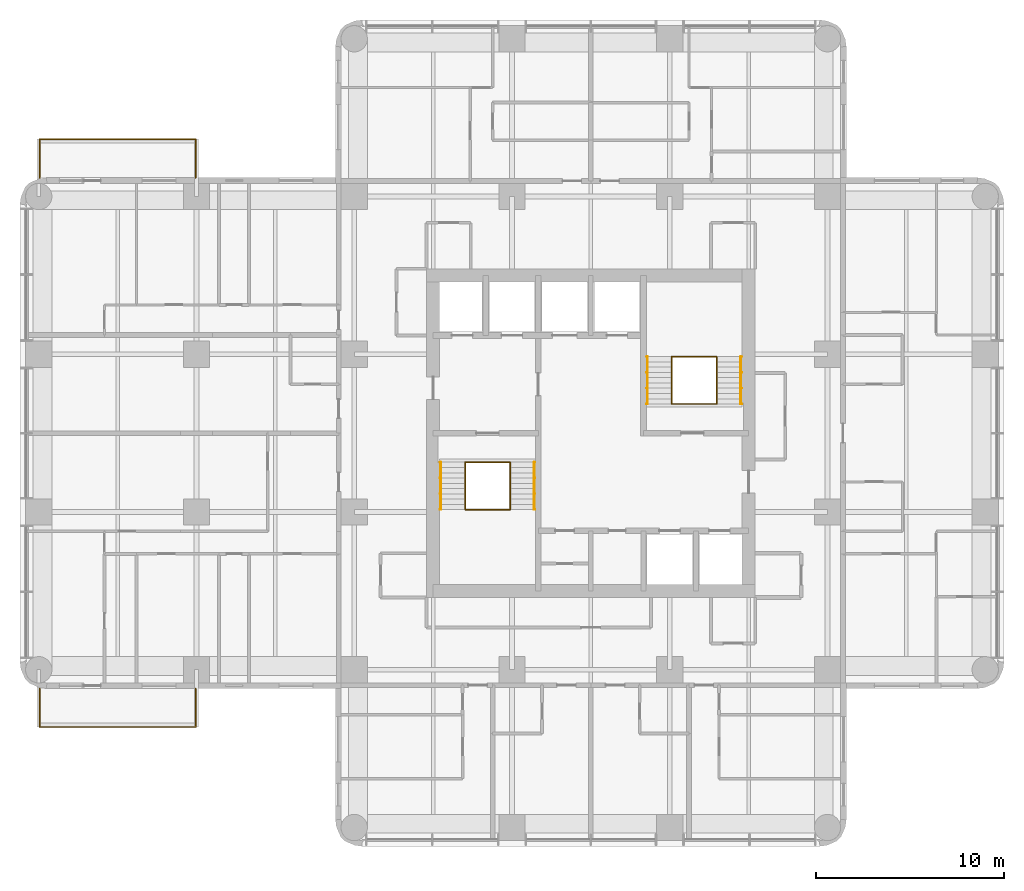
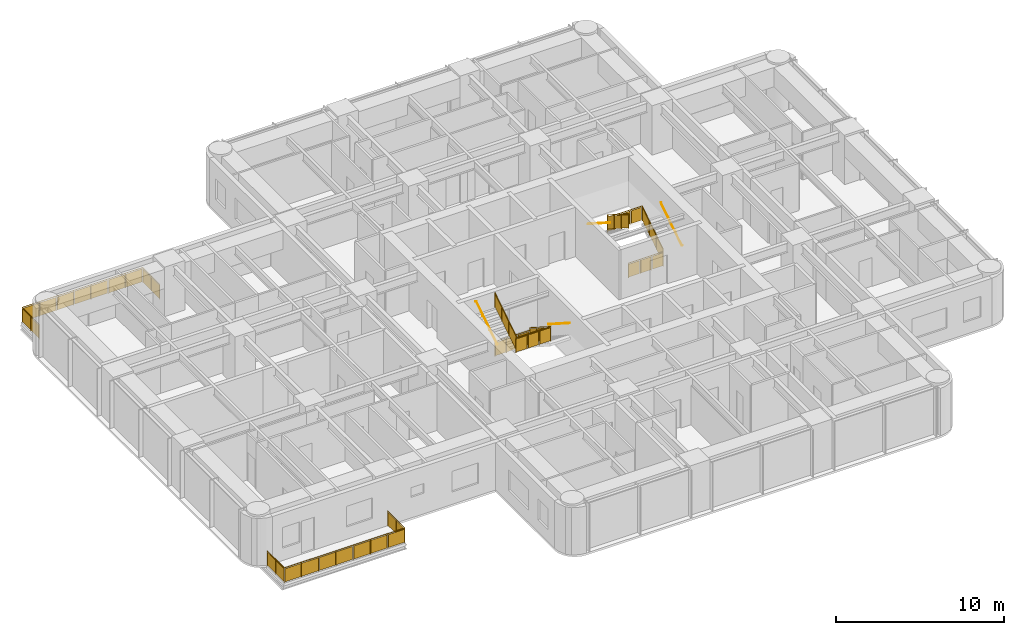
# One storey, part 11 of 11: 14 railings.
"""IFC4 building model written with IfcOpenShell, lengths in metres."""

from ifc_helpers import new_model, si_unit, direction, frame, origin, origin_2d, place, context, subcontext, project, spatial, polyline, circle, outline, extrude, material, constituent, constituent_set, type_object, element, save


model = new_model("IFC4")

# Units and contexts
model_context = context("Model", 3, precision=1e-05, world=origin(), true_north=direction((0.0, 1.0)))
body_context = subcontext(model_context, "Body", "Model", "MODEL_VIEW")
ifc_project = project(units=[si_unit("LENGTHUNIT", "METRE"), si_unit("AREAUNIT", "SQUARE_METRE"), si_unit("VOLUMEUNIT", "CUBIC_METRE"), si_unit("PLANEANGLEUNIT", "RADIAN"), si_unit("MASSUNIT", "GRAM", prefix="KILO")], contexts=[model_context])

# Site, building, storey
site_placement = place(None, origin())
site = spatial("IfcSite", under=ifc_project, at=site_placement, CompositionType="ELEMENT")
building_placement = place(site_placement, origin())
building = spatial("IfcBuilding", under=site, at=building_placement, Name="Torre Alcanfor", CompositionType="ELEMENT")
storey_placement = place(building_placement, frame((0.0, 0.0, 233.699951171875)))
storey = spatial("IfcBuildingStorey", under=building, at=storey_placement, Name="L61", CompositionType="ELEMENT", Elevation=233.699951171875)

# Railings
ifc_material_1 = material(Name="Laminated safety glass", Category="glass")
ifc_constituent_1 = constituent(ifc_material_1, Name="Infill")
ifc_material_2 = material(Name="Stainless steel ASTM A554 Grade MT 316L tube", Category="steel")
ifc_constituent_2 = constituent(ifc_material_2, Name="Posts and rail")
ifc_constituent_set = constituent_set(constituents=[ifc_constituent_1, ifc_constituent_2], Name="Balcony guard glass 1100")
railing_type_1 = type_object("IfcRailingType", Name="Balcony guard glass 1100", PredefinedType="BALUSTRADE", material=ifc_constituent_set)
railing_1_placement = place(storey_placement, frame((8.35009765625, 15.800048828125, 0.0)))
element("IfcRailing", 1, at=railing_1_placement, inside=storey, type_object=railing_type_1, Name="Balcony guard L61-W1", PredefinedType="BALUSTRADE", context=body_context, shape_type="SweptSolid", body=[
    extrude(circle(Radius=0.02392578125, at=origin_2d()), frame((0.0, 0.0, 1.076171875), z_axis=(0.0, -1.0, 0.0), x_axis=(1.0, 0.0, 0.0)), (0.0, 0.0, 1.0), 2.050048828125),
    extrude(circle(Radius=0.02392578125, at=origin_2d()), frame((0.0, -2.050048828125, 1.076171875), z_axis=(-1.0, 0.0, 0.0), x_axis=(0.0, -1.0, 0.0)), (0.0, 0.0, 1.0), 8.300048828125),
    extrude(circle(Radius=0.02392578125, at=origin_2d()), frame((-8.300048828125, -2.050048828125, 1.076171875), z_axis=(0.0, 1.0, 0.0), x_axis=(-1.0, 0.0, 0.0)), (0.0, 0.0, 1.0), 2.050048828125),
    extrude(circle(Radius=0.02099609375, at=origin_2d()), origin(), (0.0, 0.0, 1.0), 1.052001953125),
    extrude(circle(Radius=0.02099609375, at=origin_2d()), frame((0.0, -1.02490234375, 0.0)), (0.0, 0.0, 1.0), 1.052001953125),
    extrude(circle(Radius=0.02099609375, at=origin_2d()), frame((0.0, -2.050048828125, 0.0)), (0.0, 0.0, 1.0), 1.052001953125),
    extrude(circle(Radius=0.02099609375, at=origin_2d()), frame((-1.185791015625, -2.050048828125, 0.0)), (0.0, 0.0, 1.0), 1.052001953125),
    extrude(circle(Radius=0.02099609375, at=origin_2d()), frame((-2.371337890625, -2.050048828125, 0.0)), (0.0, 0.0, 1.0), 1.052001953125),
    extrude(circle(Radius=0.02099609375, at=origin_2d()), frame((-3.55712890625, -2.050048828125, 0.0)), (0.0, 0.0, 1.0), 1.052001953125),
    extrude(circle(Radius=0.02099609375, at=origin_2d()), frame((-4.742919921875, -2.050048828125, 0.0)), (0.0, 0.0, 1.0), 1.052001953125),
    extrude(circle(Radius=0.02099609375, at=origin_2d()), frame((-5.9287109375, -2.050048828125, 0.0)), (0.0, 0.0, 1.0), 1.052001953125),
    extrude(circle(Radius=0.02099609375, at=origin_2d()), frame((-7.1142578125, -2.050048828125, 0.0)), (0.0, 0.0, 1.0), 1.052001953125),
    extrude(circle(Radius=0.02099609375, at=origin_2d()), frame((-8.300048828125, -2.050048828125, 0.0)), (0.0, 0.0, 1.0), 1.052001953125),
    extrude(circle(Radius=0.02099609375, at=origin_2d()), frame((-8.300048828125, -1.02490234375, 0.0)), (0.0, 0.0, 1.0), 1.052001953125),
    extrude(circle(Radius=0.02099609375, at=origin_2d()), frame((-8.300048828125, 0.0, 0.0)), (0.0, 0.0, 1.0), 1.052001953125),
    extrude(outline(polyline([(0.041015625, 0.050048828125), (0.984130859375, 0.050048828125), (0.984130859375, 1.001953125), (0.041015625, 1.001953125), (0.041015625, 0.050048828125)])), frame((0.005859375, 0.0, 0.0), z_axis=(-1.0, 0.0, 0.0), x_axis=(0.0, -1.0, 0.0)), (0.0, 0.0, 1.0), 0.011962890625),
    extrude(outline(polyline([(1.06591796875, 0.050048828125), (2.009033203125, 0.050048828125), (2.009033203125, 1.001953125), (1.06591796875, 1.001953125), (1.06591796875, 0.050048828125)])), frame((0.005859375, 0.0, 0.0), z_axis=(-1.0, 0.0, 0.0), x_axis=(0.0, -1.0, 0.0)), (0.0, 0.0, 1.0), 0.011962890625),
    extrude(outline(polyline([(0.041015625, 0.050048828125), (1.144775390625, 0.050048828125), (1.144775390625, 1.001953125), (0.041015625, 1.001953125), (0.041015625, 0.050048828125)])), frame((0.0, -2.05615234375, 0.0), z_axis=(0.0, 1.0, 0.0), x_axis=(-1.0, 0.0, 0.0)), (0.0, 0.0, 1.0), 0.011962890625),
    extrude(outline(polyline([(1.226806640625, 0.050048828125), (2.330322265625, 0.050048828125), (2.330322265625, 1.001953125), (1.226806640625, 1.001953125), (1.226806640625, 0.050048828125)])), frame((0.0, -2.05615234375, 0.0), z_axis=(0.0, 1.0, 0.0), x_axis=(-1.0, 0.0, 0.0)), (0.0, 0.0, 1.0), 0.011962890625),
    extrude(outline(polyline([(2.412353515625, 0.050048828125), (3.51611328125, 0.050048828125), (3.51611328125, 1.001953125), (2.412353515625, 1.001953125), (2.412353515625, 0.050048828125)])), frame((0.0, -2.05615234375, 0.0), z_axis=(0.0, 1.0, 0.0), x_axis=(-1.0, 0.0, 0.0)), (0.0, 0.0, 1.0), 0.011962890625),
    extrude(outline(polyline([(3.59814453125, 0.050048828125), (4.701904296875, 0.050048828125), (4.701904296875, 1.001953125), (3.59814453125, 1.001953125), (3.59814453125, 0.050048828125)])), frame((0.0, -2.05615234375, 0.0), z_axis=(0.0, 1.0, 0.0), x_axis=(-1.0, 0.0, 0.0)), (0.0, 0.0, 1.0), 0.011962890625),
    extrude(outline(polyline([(4.783935546875, 0.050048828125), (5.8876953125, 0.050048828125), (5.8876953125, 1.001953125), (4.783935546875, 1.001953125), (4.783935546875, 0.050048828125)])), frame((0.0, -2.05615234375, 0.0), z_axis=(0.0, 1.0, 0.0), x_axis=(-1.0, 0.0, 0.0)), (0.0, 0.0, 1.0), 0.011962890625),
    extrude(outline(polyline([(5.9697265625, 0.050048828125), (7.0732421875, 0.050048828125), (7.0732421875, 1.001953125), (5.9697265625, 1.001953125), (5.9697265625, 0.050048828125)])), frame((0.0, -2.05615234375, 0.0), z_axis=(0.0, 1.0, 0.0), x_axis=(-1.0, 0.0, 0.0)), (0.0, 0.0, 1.0), 0.011962890625),
    extrude(outline(polyline([(7.1552734375, 0.050048828125), (8.259033203125, 0.050048828125), (8.259033203125, 1.001953125), (7.1552734375, 1.001953125), (7.1552734375, 0.050048828125)])), frame((0.0, -2.05615234375, 0.0), z_axis=(0.0, 1.0, 0.0), x_axis=(-1.0, 0.0, 0.0)), (0.0, 0.0, 1.0), 0.011962890625),
    extrude(outline(polyline([(0.041015625, 0.050048828125), (0.984130859375, 0.050048828125), (0.984130859375, 1.001953125), (0.041015625, 1.001953125), (0.041015625, 0.050048828125)])), frame((-8.30615234375, -2.050048828125, 0.0), z_axis=(1.0, 0.0, 0.0), x_axis=(0.0, 1.0, 0.0)), (0.0, 0.0, 1.0), 0.011962890625),
    extrude(outline(polyline([(1.06591796875, 0.050048828125), (2.009033203125, 0.050048828125), (2.009033203125, 1.001953125), (1.06591796875, 1.001953125), (1.06591796875, 0.050048828125)])), frame((-8.30615234375, -2.050048828125, 0.0), z_axis=(1.0, 0.0, 0.0), x_axis=(0.0, 1.0, 0.0)), (0.0, 0.0, 1.0), 0.011962890625),
])
railing_2_placement = place(storey_placement, frame((8.35009765625, 43.0, 0.0)))
element("IfcRailing", 2, at=railing_2_placement, inside=storey, type_object=railing_type_1, Name="Balcony guard L61-W2", PredefinedType="BALUSTRADE", context=body_context, shape_type="SweptSolid", body=[
    extrude(circle(Radius=0.02392578125, at=origin_2d()), frame((0.0, 0.0, 1.076171875), z_axis=(0.0, 1.0, 0.0), x_axis=(-1.0, 0.0, 0.0)), (0.0, 0.0, 1.0), 2.050048828125),
    extrude(circle(Radius=0.02392578125, at=origin_2d()), frame((0.0, 2.050048828125, 1.076171875), z_axis=(-1.0, 0.0, 0.0), x_axis=(0.0, -1.0, 0.0)), (0.0, 0.0, 1.0), 8.300048828125),
    extrude(circle(Radius=0.02392578125, at=origin_2d()), frame((-8.300048828125, 2.050048828125, 1.076171875), z_axis=(0.0, -1.0, 0.0), x_axis=(1.0, 0.0, 0.0)), (0.0, 0.0, 1.0), 2.050048828125),
    extrude(circle(Radius=0.02099609375, at=origin_2d()), origin(), (0.0, 0.0, 1.0), 1.052001953125),
    extrude(circle(Radius=0.02099609375, at=origin_2d()), frame((0.0, 1.02490234375, 0.0)), (0.0, 0.0, 1.0), 1.052001953125),
    extrude(circle(Radius=0.02099609375, at=origin_2d()), frame((0.0, 2.050048828125, 0.0)), (0.0, 0.0, 1.0), 1.052001953125),
    extrude(circle(Radius=0.02099609375, at=origin_2d()), frame((-1.185791015625, 2.050048828125, 0.0)), (0.0, 0.0, 1.0), 1.052001953125),
    extrude(circle(Radius=0.02099609375, at=origin_2d()), frame((-2.371337890625, 2.050048828125, 0.0)), (0.0, 0.0, 1.0), 1.052001953125),
    extrude(circle(Radius=0.02099609375, at=origin_2d()), frame((-3.55712890625, 2.050048828125, 0.0)), (0.0, 0.0, 1.0), 1.052001953125),
    extrude(circle(Radius=0.02099609375, at=origin_2d()), frame((-4.742919921875, 2.050048828125, 0.0)), (0.0, 0.0, 1.0), 1.052001953125),
    extrude(circle(Radius=0.02099609375, at=origin_2d()), frame((-5.9287109375, 2.050048828125, 0.0)), (0.0, 0.0, 1.0), 1.052001953125),
    extrude(circle(Radius=0.02099609375, at=origin_2d()), frame((-7.1142578125, 2.050048828125, 0.0)), (0.0, 0.0, 1.0), 1.052001953125),
    extrude(circle(Radius=0.02099609375, at=origin_2d()), frame((-8.300048828125, 2.050048828125, 0.0)), (0.0, 0.0, 1.0), 1.052001953125),
    extrude(circle(Radius=0.02099609375, at=origin_2d()), frame((-8.300048828125, 1.02490234375, 0.0)), (0.0, 0.0, 1.0), 1.052001953125),
    extrude(circle(Radius=0.02099609375, at=origin_2d()), frame((-8.300048828125, 0.0, 0.0)), (0.0, 0.0, 1.0), 1.052001953125),
    extrude(outline(polyline([(0.041015625, 0.050048828125), (0.984130859375, 0.050048828125), (0.984130859375, 1.001953125), (0.041015625, 1.001953125), (0.041015625, 0.050048828125)])), frame((-0.005859375, 0.0, 0.0), z_axis=(1.0, 0.0, 0.0), x_axis=(0.0, 1.0, 0.0)), (0.0, 0.0, 1.0), 0.011962890625),
    extrude(outline(polyline([(1.06591796875, 0.050048828125), (2.009033203125, 0.050048828125), (2.009033203125, 1.001953125), (1.06591796875, 1.001953125), (1.06591796875, 0.050048828125)])), frame((-0.005859375, 0.0, 0.0), z_axis=(1.0, 0.0, 0.0), x_axis=(0.0, 1.0, 0.0)), (0.0, 0.0, 1.0), 0.011962890625),
    extrude(outline(polyline([(0.041015625, 0.050048828125), (1.144775390625, 0.050048828125), (1.144775390625, 1.001953125), (0.041015625, 1.001953125), (0.041015625, 0.050048828125)])), frame((0.0, 2.0439453125, 0.0), z_axis=(0.0, 1.0, 0.0), x_axis=(-1.0, 0.0, 0.0)), (0.0, 0.0, 1.0), 0.011962890625),
    extrude(outline(polyline([(1.226806640625, 0.050048828125), (2.330322265625, 0.050048828125), (2.330322265625, 1.001953125), (1.226806640625, 1.001953125), (1.226806640625, 0.050048828125)])), frame((0.0, 2.0439453125, 0.0), z_axis=(0.0, 1.0, 0.0), x_axis=(-1.0, 0.0, 0.0)), (0.0, 0.0, 1.0), 0.011962890625),
    extrude(outline(polyline([(2.412353515625, 0.050048828125), (3.51611328125, 0.050048828125), (3.51611328125, 1.001953125), (2.412353515625, 1.001953125), (2.412353515625, 0.050048828125)])), frame((0.0, 2.0439453125, 0.0), z_axis=(0.0, 1.0, 0.0), x_axis=(-1.0, 0.0, 0.0)), (0.0, 0.0, 1.0), 0.011962890625),
    extrude(outline(polyline([(3.59814453125, 0.050048828125), (4.701904296875, 0.050048828125), (4.701904296875, 1.001953125), (3.59814453125, 1.001953125), (3.59814453125, 0.050048828125)])), frame((0.0, 2.0439453125, 0.0), z_axis=(0.0, 1.0, 0.0), x_axis=(-1.0, 0.0, 0.0)), (0.0, 0.0, 1.0), 0.011962890625),
    extrude(outline(polyline([(4.783935546875, 0.050048828125), (5.8876953125, 0.050048828125), (5.8876953125, 1.001953125), (4.783935546875, 1.001953125), (4.783935546875, 0.050048828125)])), frame((0.0, 2.0439453125, 0.0), z_axis=(0.0, 1.0, 0.0), x_axis=(-1.0, 0.0, 0.0)), (0.0, 0.0, 1.0), 0.011962890625),
    extrude(outline(polyline([(5.9697265625, 0.050048828125), (7.0732421875, 0.050048828125), (7.0732421875, 1.001953125), (5.9697265625, 1.001953125), (5.9697265625, 0.050048828125)])), frame((0.0, 2.0439453125, 0.0), z_axis=(0.0, 1.0, 0.0), x_axis=(-1.0, 0.0, 0.0)), (0.0, 0.0, 1.0), 0.011962890625),
    extrude(outline(polyline([(7.1552734375, 0.050048828125), (8.259033203125, 0.050048828125), (8.259033203125, 1.001953125), (7.1552734375, 1.001953125), (7.1552734375, 0.050048828125)])), frame((0.0, 2.0439453125, 0.0), z_axis=(0.0, 1.0, 0.0), x_axis=(-1.0, 0.0, 0.0)), (0.0, 0.0, 1.0), 0.011962890625),
    extrude(outline(polyline([(0.041015625, 0.050048828125), (0.984130859375, 0.050048828125), (0.984130859375, 1.001953125), (0.041015625, 1.001953125), (0.041015625, 0.050048828125)])), frame((-8.2939453125, 2.050048828125, 0.0), z_axis=(-1.0, 0.0, 0.0), x_axis=(0.0, -1.0, 0.0)), (0.0, 0.0, 1.0), 0.011962890625),
    extrude(outline(polyline([(1.06591796875, 0.050048828125), (2.009033203125, 0.050048828125), (2.009033203125, 1.001953125), (1.06591796875, 1.001953125), (1.06591796875, 0.050048828125)])), frame((-8.2939453125, 2.050048828125, 0.0), z_axis=(-1.0, 0.0, 0.0), x_axis=(0.0, -1.0, 0.0)), (0.0, 0.0, 1.0), 0.011962890625),
])
ifc_material_3 = material(Name="Steel ASTM A500 Grade C hollow sections", Category="steel")
railing_type_2 = type_object("IfcRailingType", Name="Stair guard and handrail 1100", PredefinedType="GUARDRAIL", material=ifc_material_3)
railing_3_placement = place(storey_placement, frame((25.10009765625, 27.85009765625, 0.179931640625)))
element("IfcRailing", 3, at=railing_3_placement, inside=storey, type_object=railing_type_2, Name="Stair guard S1 L61 flight 1", PredefinedType="GUARDRAIL", context=body_context, shape_type="SweptSolid", body=[
    extrude(circle(Radius=0.02392578125, at=origin_2d()), frame((0.0, 0.0, 1.076171875), z_axis=(0.0, -0.841162588446, 0.540782303519), x_axis=(1.0, 0.0, 0.0)), (0.0, 0.0, 1.0), 2.995849609375),
    extrude(circle(Radius=0.02099609375, at=origin_2d()), origin(), (0.0, 0.0, 1.0), 1.052001953125),
    extrude(circle(Radius=0.02099609375, at=origin_2d()), frame((0.0, -0.840087890625, 0.5400390625)), (0.0, 0.0, 1.0), 1.052001953125),
    extrude(circle(Radius=0.02099609375, at=origin_2d()), frame((0.0, -1.679931640625, 1.080078125)), (0.0, 0.0, 1.0), 1.052001953125),
    extrude(circle(Radius=0.02099609375, at=origin_2d()), frame((0.0, -2.52001953125, 1.6201171875)), (0.0, 0.0, 1.0), 1.052001953125),
    extrude(outline(polyline([(0.041015625, 0.076416015625), (0.799072265625, 0.563720703125), (0.799072265625, 1.515625), (0.041015625, 1.0283203125), (0.041015625, 0.076416015625)])), frame((0.005859375, 0.0, 0.0), z_axis=(-1.0, 0.0, 0.0), x_axis=(0.0, -1.0, 0.0)), (0.0, 0.0, 1.0), 0.011962890625),
    extrude(outline(polyline([(0.881103515625, 0.616455078125), (1.638916015625, 1.103759765625), (1.638916015625, 2.0556640625), (0.881103515625, 1.568359375), (0.881103515625, 0.616455078125)])), frame((0.005859375, 0.0, 0.0), z_axis=(-1.0, 0.0, 0.0), x_axis=(0.0, -1.0, 0.0)), (0.0, 0.0, 1.0), 0.011962890625),
    extrude(outline(polyline([(1.720947265625, 1.156494140625), (2.47900390625, 1.643798828125), (2.47900390625, 2.595703125), (1.720947265625, 2.1083984375), (1.720947265625, 1.156494140625)])), frame((0.005859375, 0.0, 0.0), z_axis=(-1.0, 0.0, 0.0), x_axis=(0.0, -1.0, 0.0)), (0.0, 0.0, 1.0), 0.011962890625),
])
railing_4_placement = place(storey_placement, frame((22.699951171875, 25.330078125, 1.97998046875)))
element("IfcRailing", 4, at=railing_4_placement, inside=storey, type_object=railing_type_2, Name="Stair guard S1 L61 flight 2", PredefinedType="GUARDRAIL", context=body_context, shape_type="SweptSolid", body=[
    extrude(circle(Radius=0.02392578125, at=origin_2d()), frame((0.0, 0.0, 1.076171875), z_axis=(0.0, 0.841162588446, 0.540782303519), x_axis=(-1.0, 0.0, 0.0)), (0.0, 0.0, 1.0), 2.995849609375),
    extrude(circle(Radius=0.02099609375, at=origin_2d()), origin(), (0.0, 0.0, 1.0), 1.052001953125),
    extrude(circle(Radius=0.02099609375, at=origin_2d()), frame((0.0, 0.840087890625, 0.5400390625)), (0.0, 0.0, 1.0), 1.052001953125),
    extrude(circle(Radius=0.02099609375, at=origin_2d()), frame((0.0, 1.679931640625, 1.080078125)), (0.0, 0.0, 1.0), 1.052001953125),
    extrude(circle(Radius=0.02099609375, at=origin_2d()), frame((0.0, 2.52001953125, 1.6201171875)), (0.0, 0.0, 1.0), 1.052001953125),
    extrude(outline(polyline([(0.041015625, 0.076416015625), (0.799072265625, 0.563720703125), (0.799072265625, 1.515625), (0.041015625, 1.0283203125), (0.041015625, 0.076416015625)])), frame((-0.005859375, 0.0, 0.0), z_axis=(1.0, 0.0, 0.0), x_axis=(0.0, 1.0, 0.0)), (0.0, 0.0, 1.0), 0.011962890625),
    extrude(outline(polyline([(0.881103515625, 0.616455078125), (1.638916015625, 1.103759765625), (1.638916015625, 2.0556640625), (0.881103515625, 1.568359375), (0.881103515625, 0.616455078125)])), frame((-0.005859375, 0.0, 0.0), z_axis=(1.0, 0.0, 0.0), x_axis=(0.0, 1.0, 0.0)), (0.0, 0.0, 1.0), 0.011962890625),
    extrude(outline(polyline([(1.720947265625, 1.156494140625), (2.47900390625, 1.643798828125), (2.47900390625, 2.595703125), (1.720947265625, 2.1083984375), (1.720947265625, 1.156494140625)])), frame((-0.005859375, 0.0, 0.0), z_axis=(1.0, 0.0, 0.0), x_axis=(0.0, 1.0, 0.0)), (0.0, 0.0, 1.0), 0.011962890625),
])
for number, where, name in (
    (5, (22.699951171875, 27.85009765625, 0.0), "Stair well guard S1 L61 floor landing"),
    (6, (22.699951171875, 25.330078125, 1.800048828125), "Stair well guard S1 L61 half landing"),
):
    element("IfcRailing", number, at=place(storey_placement, frame(where)), inside=storey, type_object=railing_type_2, Name=name, PredefinedType="GUARDRAIL", context=body_context, shape_type="SweptSolid", body=[
        extrude(circle(Radius=0.02392578125, at=origin_2d()), frame((0.0, 0.0, 1.076171875), z_axis=(1.0, 0.0, 0.0), x_axis=(0.0, 1.0, 0.0)), (0.0, 0.0, 1.0), 2.400146484375),
        extrude(circle(Radius=0.02099609375, at=origin_2d()), origin(), (0.0, 0.0, 1.0), 1.052001953125),
        extrude(circle(Radius=0.02099609375, at=origin_2d()), frame((0.800048828125, 0.0, 0.0)), (0.0, 0.0, 1.0), 1.052001953125),
        extrude(circle(Radius=0.02099609375, at=origin_2d()), frame((1.60009765625, 0.0, 0.0)), (0.0, 0.0, 1.0), 1.052001953125),
        extrude(circle(Radius=0.02099609375, at=origin_2d()), frame((2.400146484375, 0.0, 0.0)), (0.0, 0.0, 1.0), 1.052001953125),
        extrude(outline(polyline([(0.041015625, 0.050048828125), (0.759033203125, 0.050048828125), (0.759033203125, 1.001953125), (0.041015625, 1.001953125), (0.041015625, 0.050048828125)])), frame((0.0, 0.005859375, 0.0), z_axis=(0.0, -1.0, 0.0), x_axis=(1.0, 0.0, 0.0)), (0.0, 0.0, 1.0), 0.011962890625),
        extrude(outline(polyline([(0.841064453125, 0.050048828125), (1.55908203125, 0.050048828125), (1.55908203125, 1.001953125), (0.841064453125, 1.001953125), (0.841064453125, 0.050048828125)])), frame((0.0, 0.005859375, 0.0), z_axis=(0.0, -1.0, 0.0), x_axis=(1.0, 0.0, 0.0)), (0.0, 0.0, 1.0), 0.011962890625),
        extrude(outline(polyline([(1.64111328125, 0.050048828125), (2.359130859375, 0.050048828125), (2.359130859375, 1.001953125), (1.64111328125, 1.001953125), (1.64111328125, 0.050048828125)])), frame((0.0, 0.005859375, 0.0), z_axis=(0.0, -1.0, 0.0), x_axis=(1.0, 0.0, 0.0)), (0.0, 0.0, 1.0), 0.011962890625),
    ])
railing_5_placement = place(storey_placement, frame((36.10009765625, 30.949951171875, 0.179931640625)))
element("IfcRailing", 7, at=railing_5_placement, inside=storey, type_object=railing_type_2, Name="Stair guard S2 L61 flight 1", PredefinedType="GUARDRAIL", context=body_context, shape_type="SweptSolid", body=[
    extrude(circle(Radius=0.02392578125, at=origin_2d()), frame((0.0, 0.0, 1.076171875), z_axis=(0.0, 0.841162588446, 0.540782303519), x_axis=(-1.0, 0.0, 0.0)), (0.0, 0.0, 1.0), 2.995849609375),
    extrude(circle(Radius=0.02099609375, at=origin_2d()), origin(), (0.0, 0.0, 1.0), 1.052001953125),
    extrude(circle(Radius=0.02099609375, at=origin_2d()), frame((0.0, 0.840087890625, 0.5400390625)), (0.0, 0.0, 1.0), 1.052001953125),
    extrude(circle(Radius=0.02099609375, at=origin_2d()), frame((0.0, 1.679931640625, 1.080078125)), (0.0, 0.0, 1.0), 1.052001953125),
    extrude(circle(Radius=0.02099609375, at=origin_2d()), frame((0.0, 2.52001953125, 1.6201171875)), (0.0, 0.0, 1.0), 1.052001953125),
    extrude(outline(polyline([(0.041015625, 0.076416015625), (0.799072265625, 0.563720703125), (0.799072265625, 1.515625), (0.041015625, 1.0283203125), (0.041015625, 0.076416015625)])), frame((-0.005859375, 0.0, 0.0), z_axis=(1.0, 0.0, 0.0), x_axis=(0.0, 1.0, 0.0)), (0.0, 0.0, 1.0), 0.011962890625),
    extrude(outline(polyline([(0.881103515625, 0.616455078125), (1.638916015625, 1.103759765625), (1.638916015625, 2.0556640625), (0.881103515625, 1.568359375), (0.881103515625, 0.616455078125)])), frame((-0.005859375, 0.0, 0.0), z_axis=(1.0, 0.0, 0.0), x_axis=(0.0, 1.0, 0.0)), (0.0, 0.0, 1.0), 0.011962890625),
    extrude(outline(polyline([(1.720947265625, 1.156494140625), (2.47900390625, 1.643798828125), (2.47900390625, 2.595703125), (1.720947265625, 2.1083984375), (1.720947265625, 1.156494140625)])), frame((-0.005859375, 0.0, 0.0), z_axis=(1.0, 0.0, 0.0), x_axis=(0.0, 1.0, 0.0)), (0.0, 0.0, 1.0), 0.011962890625),
])
railing_6_placement = place(storey_placement, frame((33.699951171875, 33.469970703125, 1.97998046875)))
element("IfcRailing", 8, at=railing_6_placement, inside=storey, type_object=railing_type_2, Name="Stair guard S2 L61 flight 2", PredefinedType="GUARDRAIL", context=body_context, shape_type="SweptSolid", body=[
    extrude(circle(Radius=0.02392578125, at=origin_2d()), frame((0.0, 0.0, 1.076171875), z_axis=(0.0, -0.841162588446, 0.540782303519), x_axis=(1.0, 0.0, 0.0)), (0.0, 0.0, 1.0), 2.995849609375),
    extrude(circle(Radius=0.02099609375, at=origin_2d()), origin(), (0.0, 0.0, 1.0), 1.052001953125),
    extrude(circle(Radius=0.02099609375, at=origin_2d()), frame((0.0, -0.840087890625, 0.5400390625)), (0.0, 0.0, 1.0), 1.052001953125),
    extrude(circle(Radius=0.02099609375, at=origin_2d()), frame((0.0, -1.679931640625, 1.080078125)), (0.0, 0.0, 1.0), 1.052001953125),
    extrude(circle(Radius=0.02099609375, at=origin_2d()), frame((0.0, -2.52001953125, 1.6201171875)), (0.0, 0.0, 1.0), 1.052001953125),
    extrude(outline(polyline([(0.041015625, 0.076416015625), (0.799072265625, 0.563720703125), (0.799072265625, 1.515625), (0.041015625, 1.0283203125), (0.041015625, 0.076416015625)])), frame((0.005859375, 0.0, 0.0), z_axis=(-1.0, 0.0, 0.0), x_axis=(0.0, -1.0, 0.0)), (0.0, 0.0, 1.0), 0.011962890625),
    extrude(outline(polyline([(0.881103515625, 0.616455078125), (1.638916015625, 1.103759765625), (1.638916015625, 2.0556640625), (0.881103515625, 1.568359375), (0.881103515625, 0.616455078125)])), frame((0.005859375, 0.0, 0.0), z_axis=(-1.0, 0.0, 0.0), x_axis=(0.0, -1.0, 0.0)), (0.0, 0.0, 1.0), 0.011962890625),
    extrude(outline(polyline([(1.720947265625, 1.156494140625), (2.47900390625, 1.643798828125), (2.47900390625, 2.595703125), (1.720947265625, 2.1083984375), (1.720947265625, 1.156494140625)])), frame((0.005859375, 0.0, 0.0), z_axis=(-1.0, 0.0, 0.0), x_axis=(0.0, -1.0, 0.0)), (0.0, 0.0, 1.0), 0.011962890625),
])
for number, where, name in (
    (9, (33.699951171875, 30.949951171875, 0.0), "Stair well guard S2 L61 floor landing"),
    (10, (33.699951171875, 33.469970703125, 1.800048828125), "Stair well guard S2 L61 half landing"),
):
    element("IfcRailing", number, at=place(storey_placement, frame(where)), inside=storey, type_object=railing_type_2, Name=name, PredefinedType="GUARDRAIL", context=body_context, shape_type="SweptSolid", body=[
        extrude(circle(Radius=0.02392578125, at=origin_2d()), frame((0.0, 0.0, 1.076171875), z_axis=(1.0, 0.0, 0.0), x_axis=(0.0, 1.0, 0.0)), (0.0, 0.0, 1.0), 2.400146484375),
        extrude(circle(Radius=0.02099609375, at=origin_2d()), origin(), (0.0, 0.0, 1.0), 1.052001953125),
        extrude(circle(Radius=0.02099609375, at=origin_2d()), frame((0.800048828125, 0.0, 0.0)), (0.0, 0.0, 1.0), 1.052001953125),
        extrude(circle(Radius=0.02099609375, at=origin_2d()), frame((1.60009765625, 0.0, 0.0)), (0.0, 0.0, 1.0), 1.052001953125),
        extrude(circle(Radius=0.02099609375, at=origin_2d()), frame((2.400146484375, 0.0, 0.0)), (0.0, 0.0, 1.0), 1.052001953125),
        extrude(outline(polyline([(0.041015625, 0.050048828125), (0.759033203125, 0.050048828125), (0.759033203125, 1.001953125), (0.041015625, 1.001953125), (0.041015625, 0.050048828125)])), frame((0.0, 0.005859375, 0.0), z_axis=(0.0, -1.0, 0.0), x_axis=(1.0, 0.0, 0.0)), (0.0, 0.0, 1.0), 0.011962890625),
        extrude(outline(polyline([(0.841064453125, 0.050048828125), (1.55908203125, 0.050048828125), (1.55908203125, 1.001953125), (0.841064453125, 1.001953125), (0.841064453125, 0.050048828125)])), frame((0.0, 0.005859375, 0.0), z_axis=(0.0, -1.0, 0.0), x_axis=(1.0, 0.0, 0.0)), (0.0, 0.0, 1.0), 0.011962890625),
        extrude(outline(polyline([(1.64111328125, 0.050048828125), (2.359130859375, 0.050048828125), (2.359130859375, 1.001953125), (1.64111328125, 1.001953125), (1.64111328125, 0.050048828125)])), frame((0.0, 0.005859375, 0.0), z_axis=(0.0, -1.0, 0.0), x_axis=(1.0, 0.0, 0.0)), (0.0, 0.0, 1.0), 0.011962890625),
    ])
ifc_material_4 = material(Name="Steel ASTM A500 Grade C hollow sections", Category="steel")
railing_type_3 = type_object("IfcRailingType", Name="Stair wall handrail 900", PredefinedType="HANDRAIL", material=ifc_material_4)
railing_7_placement = place(storey_placement, frame((26.385009765625, 27.85009765625, 0.179931640625)))
element("IfcRailing", 11, at=railing_7_placement, inside=storey, type_object=railing_type_3, Name="Stair handrail S1 L61 flight 1", PredefinedType="HANDRAIL", context=body_context, shape_type="SweptSolid", body=[
    extrude(circle(Radius=0.02392578125, at=origin_2d()), frame((0.0, 0.0, 0.8759765625), z_axis=(0.0, -0.841162588446, 0.540782303519), x_axis=(1.0, 0.0, 0.0)), (0.0, 0.0, 1.0), 2.995849609375),
    extrude(circle(Radius=0.008056640625, at=origin_2d()), frame((0.0, 0.0, 0.8759765625), z_axis=(1.0, 0.0, 0.0), x_axis=(0.0, 0.0, 1.0)), (0.0, 0.0, 1.0), 0.06494140625),
    extrude(circle(Radius=0.008056640625, at=origin_2d()), frame((0.0, -0.840087890625, 1.416015625), z_axis=(1.0, 0.0, 0.0), x_axis=(0.0, 0.0, 1.0)), (0.0, 0.0, 1.0), 0.06494140625),
    extrude(circle(Radius=0.008056640625, at=origin_2d()), frame((0.0, -1.679931640625, 1.9560546875), z_axis=(1.0, 0.0, 0.0), x_axis=(0.0, 0.0, 1.0)), (0.0, 0.0, 1.0), 0.06494140625),
    extrude(circle(Radius=0.008056640625, at=origin_2d()), frame((0.0, -2.52001953125, 2.49609375), z_axis=(1.0, 0.0, 0.0), x_axis=(0.0, 0.0, 1.0)), (0.0, 0.0, 1.0), 0.06494140625),
])
railing_8_placement = place(storey_placement, frame((21.4150390625, 25.330078125, 1.97998046875)))
element("IfcRailing", 12, at=railing_8_placement, inside=storey, type_object=railing_type_3, Name="Stair handrail S1 L61 flight 2", PredefinedType="HANDRAIL", context=body_context, shape_type="SweptSolid", body=[
    extrude(circle(Radius=0.02392578125, at=origin_2d()), frame((0.0, 0.0, 0.8759765625), z_axis=(0.0, 0.841162588446, 0.540782303519), x_axis=(-1.0, 0.0, 0.0)), (0.0, 0.0, 1.0), 2.995849609375),
    extrude(circle(Radius=0.008056640625, at=origin_2d()), frame((0.0, 0.0, 0.8759765625), z_axis=(-1.0, 0.0, 0.0), x_axis=(0.0, 0.0, 1.0)), (0.0, 0.0, 1.0), 0.06494140625),
    extrude(circle(Radius=0.008056640625, at=origin_2d()), frame((0.0, 0.840087890625, 1.416015625), z_axis=(-1.0, 0.0, 0.0), x_axis=(0.0, 0.0, 1.0)), (0.0, 0.0, 1.0), 0.06494140625),
    extrude(circle(Radius=0.008056640625, at=origin_2d()), frame((0.0, 1.679931640625, 1.9560546875), z_axis=(-1.0, 0.0, 0.0), x_axis=(0.0, 0.0, 1.0)), (0.0, 0.0, 1.0), 0.06494140625),
    extrude(circle(Radius=0.008056640625, at=origin_2d()), frame((0.0, 2.52001953125, 2.49609375), z_axis=(-1.0, 0.0, 0.0), x_axis=(0.0, 0.0, 1.0)), (0.0, 0.0, 1.0), 0.06494140625),
])
railing_9_placement = place(storey_placement, frame((37.385009765625, 30.949951171875, 0.179931640625)))
element("IfcRailing", 13, at=railing_9_placement, inside=storey, type_object=railing_type_3, Name="Stair handrail S2 L61 flight 1", PredefinedType="HANDRAIL", context=body_context, shape_type="SweptSolid", body=[
    extrude(circle(Radius=0.02392578125, at=origin_2d()), frame((0.0, 0.0, 0.8759765625), z_axis=(0.0, 0.841162588446, 0.540782303519), x_axis=(-1.0, 0.0, 0.0)), (0.0, 0.0, 1.0), 2.995849609375),
    extrude(circle(Radius=0.008056640625, at=origin_2d()), frame((0.0, 0.0, 0.8759765625), z_axis=(1.0, 0.0, 0.0), x_axis=(0.0, 0.0, 1.0)), (0.0, 0.0, 1.0), 0.06494140625),
    extrude(circle(Radius=0.008056640625, at=origin_2d()), frame((0.0, 0.840087890625, 1.416015625), z_axis=(1.0, 0.0, 0.0), x_axis=(0.0, 0.0, 1.0)), (0.0, 0.0, 1.0), 0.06494140625),
    extrude(circle(Radius=0.008056640625, at=origin_2d()), frame((0.0, 1.679931640625, 1.9560546875), z_axis=(1.0, 0.0, 0.0), x_axis=(0.0, 0.0, 1.0)), (0.0, 0.0, 1.0), 0.06494140625),
    extrude(circle(Radius=0.008056640625, at=origin_2d()), frame((0.0, 2.52001953125, 2.49609375), z_axis=(1.0, 0.0, 0.0), x_axis=(0.0, 0.0, 1.0)), (0.0, 0.0, 1.0), 0.06494140625),
])
railing_10_placement = place(storey_placement, frame((32.4150390625, 33.469970703125, 1.97998046875)))
element("IfcRailing", 14, at=railing_10_placement, inside=storey, type_object=railing_type_3, Name="Stair handrail S2 L61 flight 2", PredefinedType="HANDRAIL", context=body_context, shape_type="SweptSolid", body=[
    extrude(circle(Radius=0.02392578125, at=origin_2d()), frame((0.0, 0.0, 0.8759765625), z_axis=(0.0, -0.841162588446, 0.540782303519), x_axis=(1.0, 0.0, 0.0)), (0.0, 0.0, 1.0), 2.995849609375),
    extrude(circle(Radius=0.008056640625, at=origin_2d()), frame((0.0, 0.0, 0.8759765625), z_axis=(-1.0, 0.0, 0.0), x_axis=(0.0, 0.0, 1.0)), (0.0, 0.0, 1.0), 0.06494140625),
    extrude(circle(Radius=0.008056640625, at=origin_2d()), frame((0.0, -0.840087890625, 1.416015625), z_axis=(-1.0, 0.0, 0.0), x_axis=(0.0, 0.0, 1.0)), (0.0, 0.0, 1.0), 0.06494140625),
    extrude(circle(Radius=0.008056640625, at=origin_2d()), frame((0.0, -1.679931640625, 1.9560546875), z_axis=(-1.0, 0.0, 0.0), x_axis=(0.0, 0.0, 1.0)), (0.0, 0.0, 1.0), 0.06494140625),
    extrude(circle(Radius=0.008056640625, at=origin_2d()), frame((0.0, -2.52001953125, 2.49609375), z_axis=(-1.0, 0.0, 0.0), x_axis=(0.0, 0.0, 1.0)), (0.0, 0.0, 1.0), 0.06494140625),
])

save(model, "model.ifc")
